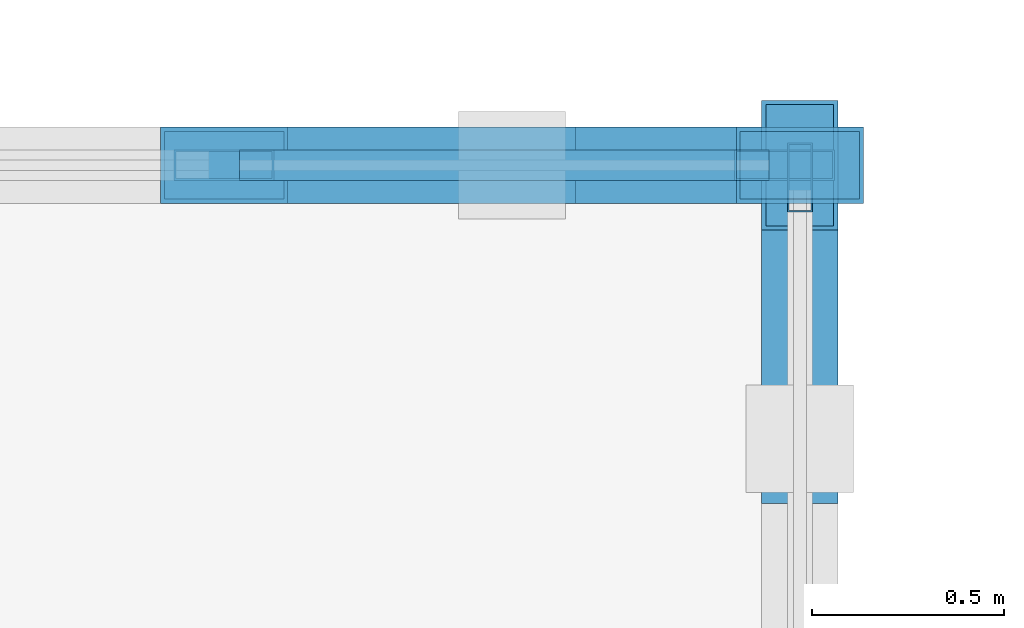
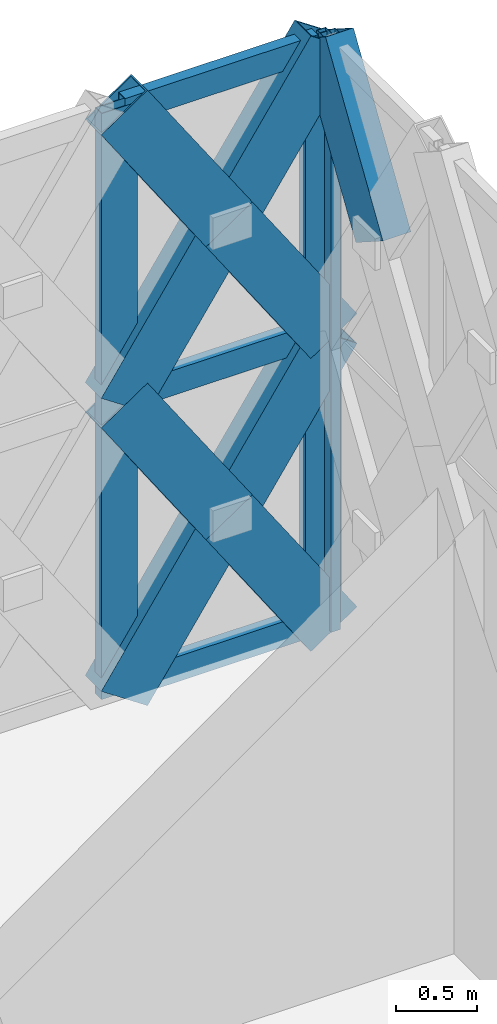
# One storey, part 48 of 86: 13 members, 2 elements without a shape of their own.
"""IFC4 building model written with IfcOpenShell, lengths in metres."""

from ifc_helpers import new_model, si_unit, direction, frame, origin, origin_2d, place, context, subcontext, project, spatial, hollow_rectangle, extrude, material, material_profile, profile_set, type_object, element, aggregate, save


model = new_model("IFC4")

# Units and contexts
model_context = context("Model", 3, precision=1e-05, world=origin(), true_north=direction((0.0, 1.0)))
body_context = subcontext(model_context, "Body", "Model", "MODEL_VIEW")
ifc_project = project(units=[si_unit("LENGTHUNIT", "METRE"), si_unit("AREAUNIT", "SQUARE_METRE"), si_unit("VOLUMEUNIT", "CUBIC_METRE"), si_unit("PLANEANGLEUNIT", "RADIAN"), si_unit("MASSUNIT", "GRAM", prefix="KILO")], contexts=[model_context])

# Site, building, storey
site_placement = place(None, origin())
site = spatial("IfcSite", under=ifc_project, at=site_placement, CompositionType="ELEMENT")
building_placement = place(site_placement, origin())
building = spatial("IfcBuilding", under=site, at=building_placement, Name="Haizhuo Lancet Aquarium", CompositionType="ELEMENT")
storey_placement = place(building_placement, frame((0.0, 0.0, 16.199951171875)))
storey = spatial("IfcBuildingStorey", under=building, at=storey_placement, Name="L03", CompositionType="ELEMENT", Elevation=16.199951171875)

# Curtain wall, member
ifc_material_1 = material(Name="Aluminium 6063-T6", Category="aluminium")
curtain_wall_type_1 = type_object("IfcCurtainWallType", Name="CWD-8560x4450", PredefinedType="NOTDEFINED", material=ifc_material_1)
curtain_wall_1_placement = place(storey_placement, origin())
curtain_wall_1 = element("IfcCurtainWall", 1, at=curtain_wall_1_placement, inside=storey, type_object=curtain_wall_type_1, Name="L03 curtain wall CW-V5-L03-166", PredefinedType="NOTDEFINED")
ifc_material_profile_1 = material_profile(ifc_material_1, hollow_rectangle(XDim=0.06494140625, YDim=0.179931640625, WallThickness=0.00390625, at=origin_2d()), Name="ALU-M 65x180x4")
ifc_profile_set_1 = profile_set([ifc_material_profile_1], Name="Aluminium 6063-T6")
member_type_1 = type_object("IfcMemberType", Name="CW-MUL-1", PredefinedType="MULLION", material=ifc_profile_set_1)
member_1_placement = place(storey_placement, frame((27.0, 53.968017578125, 0.0), z_axis=(0.0, 0.0, 1.0), x_axis=(1.0, 0.0, 0.0)))
member_1 = element("IfcMember", 2, at=member_1_placement, type_object=member_type_1, Name="CWD-85x44 mullion 1", PredefinedType="MULLION", context=body_context, shape_type="SweptSolid", body=[
    extrude(hollow_rectangle(XDim=0.06494140625, YDim=0.179931640625, WallThickness=0.00390625, at=origin_2d()), origin(), (0.0, 0.0, 1.0), 4.449951171875),
])
aggregate(curtain_wall_1, [member_1])

# Curtain wall, members
curtain_wall_type_2 = type_object("IfcCurtainWallType", Name="CWD-9000x4430", PredefinedType="NOTDEFINED", material=ifc_material_1)
curtain_wall_2_placement = place(storey_placement, origin())
curtain_wall_2 = element("IfcCurtainWall", 3, at=curtain_wall_2_placement, inside=storey, type_object=curtain_wall_type_2, Name="L03 curtain wall CW-V5-L03-165", PredefinedType="NOTDEFINED")
ifc_material_profile_2 = material_profile(ifc_material_1, hollow_rectangle(XDim=0.080078125, YDim=0.260009765625, WallThickness=0.0048828125, at=origin_2d()), Name="ALU-M 80x260x5")
ifc_profile_set_2 = profile_set([ifc_material_profile_2], Name="Aluminium 6063-T6")
member_type_2 = type_object("IfcMemberType", Name="CW-MUL-3", PredefinedType="MULLION", material=ifc_profile_set_2)
member_2_placement = place(storey_placement, frame((25.5, 54.0, 0.0), z_axis=(0.0, 0.0, 1.0), x_axis=(0.0, 1.0, 0.0)))
member_2 = element("IfcMember", 4, at=member_2_placement, type_object=member_type_2, Name="CWD-90x44 mullion 6", PredefinedType="MULLION", context=body_context, shape_type="SweptSolid", body=[
    extrude(hollow_rectangle(XDim=0.080078125, YDim=0.260009765625, WallThickness=0.0048828125, at=origin_2d()), origin(), (0.0, 0.0, 1.0), 4.43505859375),
])
member_3_placement = place(storey_placement, frame((26.9599609375, 54.0, 0.0), z_axis=(0.0, 0.0, 1.0), x_axis=(0.0, 1.0, 0.0)))
member_3 = element("IfcMember", 5, at=member_3_placement, type_object=member_type_2, Name="CWD-90x44 mullion 7", PredefinedType="MULLION", context=body_context, shape_type="SweptSolid", body=[
    extrude(hollow_rectangle(XDim=0.080078125, YDim=0.260009765625, WallThickness=0.0048828125, at=origin_2d()), origin(), (0.0, 0.0, 1.0), 4.43505859375),
])
ifc_material_profile_3 = material_profile(ifc_material_1, hollow_rectangle(XDim=0.080078125, YDim=0.18994140625, WallThickness=0.0048828125, at=origin_2d()), Name="ALU-T 80x190x5")
ifc_profile_set_3 = profile_set([ifc_material_profile_3], Name="Aluminium 6063-T6")
member_type_3 = type_object("IfcMemberType", Name="CW-TRN-3", PredefinedType="NOTDEFINED", material=ifc_profile_set_3)
member_4_placement = place(storey_placement, frame((25.5400390625, 54.0, 0.0400390625), z_axis=(1.0, 0.0, 0.0), x_axis=(0.0, 1.0, 0.0)))
member_4 = element("IfcMember", 6, at=member_4_placement, type_object=member_type_3, Name="CWD-90x44 transom 6.1", ObjectType="TRANSOM", PredefinedType="USERDEFINED", context=body_context, shape_type="SweptSolid", body=[
    extrude(hollow_rectangle(XDim=0.080078125, YDim=0.18994140625, WallThickness=0.0048828125, at=origin_2d()), origin(), (0.0, 0.0, 1.0), 1.3798828125),
])
member_5_placement = place(storey_placement, frame((25.5400390625, 54.0, 2.218017578125), z_axis=(1.0, 0.0, 0.0), x_axis=(0.0, 1.0, 0.0)))
member_5 = element("IfcMember", 7, at=member_5_placement, type_object=member_type_3, Name="CWD-90x44 transom 6.2", ObjectType="TRANSOM", PredefinedType="USERDEFINED", context=body_context, shape_type="SweptSolid", body=[
    extrude(hollow_rectangle(XDim=0.080078125, YDim=0.18994140625, WallThickness=0.0048828125, at=origin_2d()), origin(), (0.0, 0.0, 1.0), 1.3798828125),
])
member_6_placement = place(storey_placement, frame((25.5400390625, 54.0, 4.39501953125), z_axis=(1.0, 0.0, 0.0), x_axis=(0.0, 1.0, 0.0)))
member_6 = element("IfcMember", 8, at=member_6_placement, type_object=member_type_3, Name="CWD-90x44 transom 6.3", ObjectType="TRANSOM", PredefinedType="USERDEFINED", context=body_context, shape_type="SweptSolid", body=[
    extrude(hollow_rectangle(XDim=0.080078125, YDim=0.18994140625, WallThickness=0.0048828125, at=origin_2d()), origin(), (0.0, 0.0, 1.0), 1.3798828125),
])
aggregate(curtain_wall_2, [member_2, member_3, member_4, member_5, member_6])

# Members
ifc_material_2 = material(Name="Steel S355", Category="steel")
ifc_material_profile_4 = material_profile(ifc_material_2, hollow_rectangle(XDim=0.199951171875, YDim=0.39990234375, WallThickness=0.011962890625, at=origin_2d()), Name="RHS 200x400x12")
ifc_profile_set_4 = profile_set([ifc_material_profile_4], Name="Steel S355")
member_type_4 = type_object("IfcMemberType", Name="MEM-LB-RHS200x400", PredefinedType="BRACE", material=ifc_profile_set_4)
member_7_placement = place(storey_placement, frame((25.5, 54.0, 0.0), z_axis=(0.560200814461, 0.0, 0.828356835837), x_axis=(0.0, 1.0, 0.0)))
element("IfcMember", 9, at=member_7_placement, inside=storey, type_object=member_type_4, Name="Gothic lancet continuous diagonal brace CW-V5-L03-165 11A", PredefinedType="BRACE", context=body_context, shape_type="SweptSolid", body=[
    extrude(hollow_rectangle(XDim=0.199951171875, YDim=0.39990234375, WallThickness=0.011962890625, at=origin_2d()), origin(), (0.0, 0.0, 1.0), 2.677490234375),
])
member_8_placement = place(storey_placement, frame((27.0, 54.0, 0.0), z_axis=(-0.560158505884, 0.0, 0.828385446689), x_axis=(0.0, -1.0, 0.0)))
element("IfcMember", 10, at=member_8_placement, inside=storey, type_object=member_type_4, Name="Gothic lancet split diagonal brace CW-V5-L03-165 11B1", PredefinedType="BRACE", context=body_context, shape_type="SweptSolid", body=[
    extrude(hollow_rectangle(XDim=0.199951171875, YDim=0.39990234375, WallThickness=0.011962890625, at=origin_2d()), origin(), (0.0, 0.0, 1.0), 1.3388671875),
])
member_9_placement = place(storey_placement, frame((26.25, 54.0, 1.109130859375), z_axis=(-0.560243127969, 0.0, 0.8283282185), x_axis=(0.0, -1.0, 0.0)))
element("IfcMember", 11, at=member_9_placement, inside=storey, type_object=member_type_4, Name="Gothic lancet split diagonal brace CW-V5-L03-165 11B2", PredefinedType="BRACE", context=body_context, shape_type="SweptSolid", body=[
    extrude(hollow_rectangle(XDim=0.199951171875, YDim=0.39990234375, WallThickness=0.011962890625, at=origin_2d()), origin(), (0.0, 0.0, 1.0), 1.338623046875),
])
member_10_placement = place(storey_placement, frame((25.5, 54.0, 2.218017578125), z_axis=(0.560370098074, 0.0, 0.828242327573), x_axis=(0.0, 1.0, 0.0)))
element("IfcMember", 12, at=member_10_placement, inside=storey, type_object=member_type_4, Name="Gothic lancet continuous diagonal brace CW-V5-L03-165 12A", PredefinedType="BRACE", context=body_context, shape_type="SweptSolid", body=[
    extrude(hollow_rectangle(XDim=0.199951171875, YDim=0.39990234375, WallThickness=0.011962890625, at=origin_2d()), origin(), (0.0, 0.0, 1.0), 2.6767578125),
])
member_11_placement = place(storey_placement, frame((27.0, 54.0, 2.218017578125), z_axis=(-0.560581813555, 0.0, 0.828099046196), x_axis=(0.0, -1.0, 0.0)))
element("IfcMember", 13, at=member_11_placement, inside=storey, type_object=member_type_4, Name="Gothic lancet split diagonal brace CW-V5-L03-165 12B1", PredefinedType="BRACE", context=body_context, shape_type="SweptSolid", body=[
    extrude(hollow_rectangle(XDim=0.199951171875, YDim=0.39990234375, WallThickness=0.011962890625, at=origin_2d()), origin(), (0.0, 0.0, 1.0), 1.337890625),
])
member_12_placement = place(storey_placement, frame((26.25, 54.0, 3.325927734375), z_axis=(-0.560158505884, 0.0, 0.828385446689), x_axis=(0.0, -1.0, 0.0)))
element("IfcMember", 14, at=member_12_placement, inside=storey, type_object=member_type_4, Name="Gothic lancet split diagonal brace CW-V5-L03-165 12B2", PredefinedType="BRACE", context=body_context, shape_type="SweptSolid", body=[
    extrude(hollow_rectangle(XDim=0.199951171875, YDim=0.39990234375, WallThickness=0.011962890625, at=origin_2d()), origin(), (0.0, 0.0, 1.0), 1.3388671875),
])
member_13_placement = place(storey_placement, frame((27.0, 53.287109375, 3.338134765625), z_axis=(0.0, 0.539766892056, 0.841814529597), x_axis=(-1.0, 0.0, 0.0)))
element("IfcMember", 15, at=member_13_placement, inside=storey, type_object=member_type_4, Name="Gothic lancet split diagonal brace CW-V5-L03-166 2B2", PredefinedType="BRACE", context=body_context, shape_type="SweptSolid", body=[
    extrude(hollow_rectangle(XDim=0.199951171875, YDim=0.39990234375, WallThickness=0.011962890625, at=origin_2d()), origin(), (0.0, 0.0, 1.0), 1.32080078125),
])

save(model, "model.ifc")
